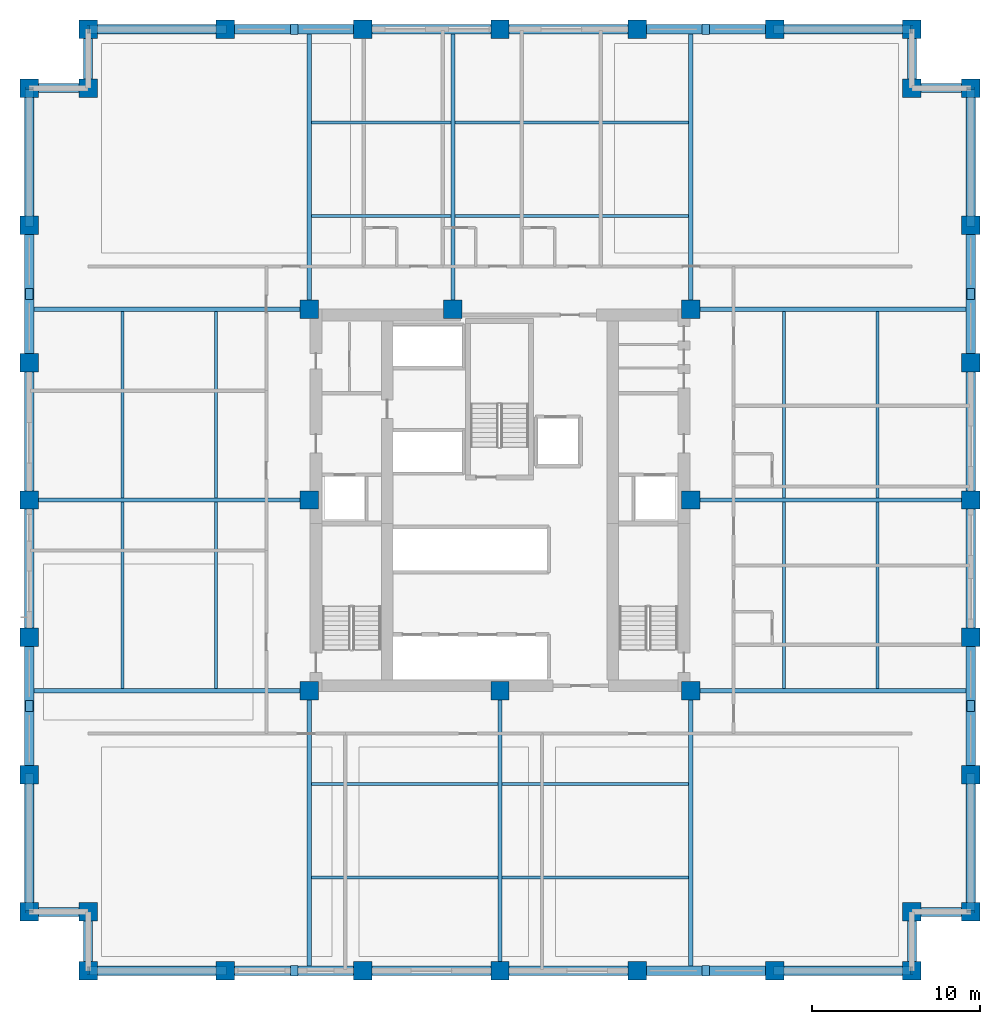
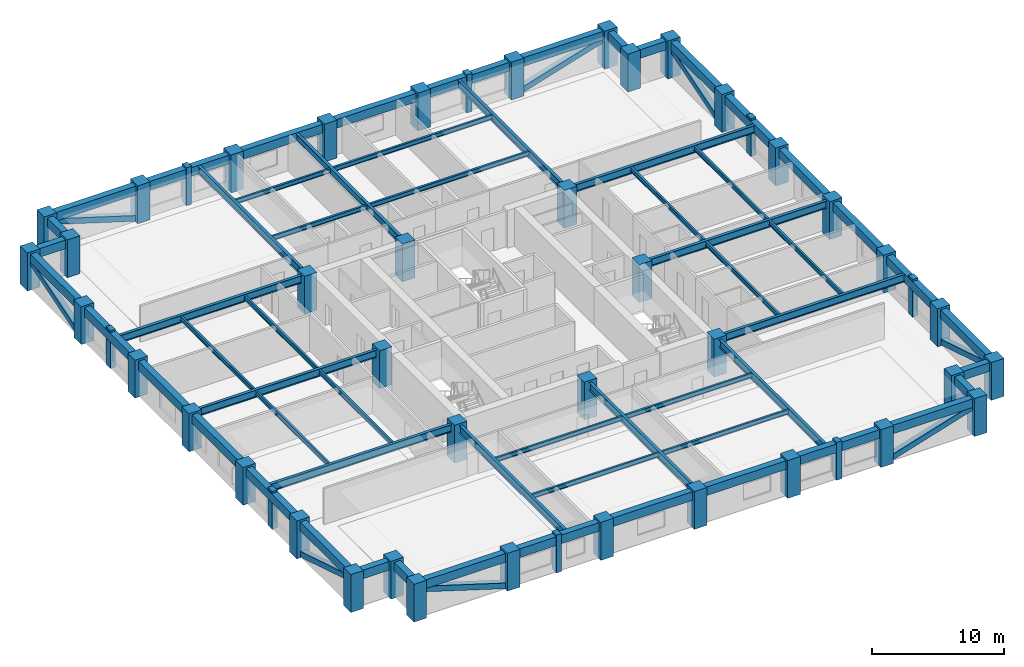
# One storey, part 1 of 12: 60 beams, 40 columns, 16 members.
"""IFC4 building model written with IfcOpenShell, lengths in metres."""

from ifc_helpers import new_model, si_unit, direction, frame, origin, origin_2d, place, context, subcontext, project, spatial, rectangle, hollow_rectangle, i_section, extrude, material, material_profile, profile_set, type_object, element, save


model = new_model("IFC4")

# Units and contexts
model_context = context("Model", 3, precision=1e-05, world=origin(), true_north=direction((0.0, 1.0)))
body_context = subcontext(model_context, "Body", "Model", "MODEL_VIEW")
ifc_project = project(units=[si_unit("LENGTHUNIT", "METRE"), si_unit("AREAUNIT", "SQUARE_METRE"), si_unit("VOLUMEUNIT", "CUBIC_METRE"), si_unit("PLANEANGLEUNIT", "RADIAN"), si_unit("MASSUNIT", "GRAM", prefix="KILO")], contexts=[model_context])

# Site, building, storey
site_placement = place(None, origin())
site = spatial("IfcSite", under=ifc_project, at=site_placement, CompositionType="ELEMENT")
building_placement = place(site_placement, origin())
building = spatial("IfcBuilding", under=site, at=building_placement, Name="Nhamokura Convention Tower", CompositionType="ELEMENT")
storey_placement = place(building_placement, frame((0.0, 0.0, 49.35009765625)))
storey = spatial("IfcBuildingStorey", under=building, at=storey_placement, Name="L10", CompositionType="ELEMENT", Elevation=49.35009765625)

# Columns
ifc_material_1 = material(Name="Concrete C60/75", Category="concrete")
ifc_material_profile_1 = material_profile(ifc_material_1, rectangle(XDim=1.10009765625, YDim=1.10009765625, at=origin_2d()))
ifc_profile_set_1 = profile_set([ifc_material_profile_1], Name="Concrete C60/75")
column_type = type_object("IfcColumnType", Name="TubeColumn_Z1_1100", PredefinedType="COLUMN", material=ifc_profile_set_1)
for number, where, z_axis, x_axis, name in (
    (1, (20.64990234375, 20.64990234375, 0.0), (0.0, 0.0, 1.0), (1.0, 0.0, 0.0), "L10 Core Column CC-SW"),
    (2, (32.0, 20.64990234375, 0.0), (0.0, 0.0, 1.0), (1.0, 0.0, 0.0), "L10 Core Column CC-S"),
    (3, (43.35009765625, 20.64990234375, 0.0), (0.0, 0.0, 1.0), (1.0, 0.0, 0.0), "L10 Core Column CC-SE"),
    (4, (43.35009765625, 32.0, 0.0), (0.0, 0.0, 1.0), (1.0, 0.0, 0.0), "L10 Core Column CC-E"),
    (5, (43.35009765625, 43.35009765625, 0.0), (0.0, 0.0, 1.0), (1.0, 0.0, 0.0), "L10 Core Column CC-NE"),
    (6, (29.199951171875, 43.35009765625, 0.0), (0.0, 0.0, 1.0), (1.0, 0.0, 0.0), "L10 Core Column CC-N"),
    (7, (20.64990234375, 43.35009765625, 0.0), (0.0, 0.0, 1.0), (1.0, 0.0, 0.0), "L10 Core Column CC-NW"),
    (8, (20.64990234375, 32.0, 0.0), (0.0, 0.0, 1.0), (1.0, 0.0, 0.0), "L10 Core Column CC-W"),
    (9, (7.5, 4.0, 0.0), (0.0, 0.0, 1.0), (1.0, 0.0, 0.0), "L10 Perimeter Tube Column SW1"),
    (10, (7.5, 7.5, 0.0), (0.0, 0.0, 1.0), (1.0, 0.0, 0.0), "L10 Perimeter Tube Column SW0"),
    (11, (4.0, 7.5, 0.0), (0.0, 0.0, 1.0), (1.0, 0.0, 0.0), "L10 Perimeter Tube Column SW2"),
    (12, (56.5, 4.0, 0.0), (0.0, 0.0, 1.0), (1.0, 0.0, 0.0), "L10 Perimeter Tube Column SE1"),
    (13, (56.5, 7.5, 0.0), (0.0, 0.0, 1.0), (1.0, 0.0, 0.0), "L10 Perimeter Tube Column SE0"),
    (14, (60.0, 7.5, 0.0), (0.0, 0.0, 1.0), (1.0, 0.0, 0.0), "L10 Perimeter Tube Column SE2"),
    (15, (60.0, 56.5, 0.0), (0.0, 0.0, 1.0), (1.0, 0.0, 0.0), "L10 Perimeter Tube Column NE1"),
    (16, (56.5, 56.5, 0.0), (0.0, 0.0, 1.0), (1.0, 0.0, 0.0), "L10 Perimeter Tube Column NE0"),
    (17, (56.5, 60.0, 0.0), (0.0, 0.0, 1.0), (1.0, 0.0, 0.0), "L10 Perimeter Tube Column NE2"),
    (18, (7.5, 60.0, 0.0), (0.0, 0.0, 1.0), (1.0, 0.0, 0.0), "L10 Perimeter Tube Column NW1"),
    (19, (7.5, 56.5, 0.0), (0.0, 0.0, 1.0), (1.0, 0.0, 0.0), "L10 Perimeter Tube Column NW0"),
    (20, (4.0, 56.5, 0.0), (0.0, 0.0, 1.0), (1.0, 0.0, 0.0), "L10 Perimeter Tube Column NW2"),
    (21, (15.666748046875, 4.0, 0.0), (0.0, 0.0, 1.0), (1.0, 0.0, 0.0), "L10 Perimeter Tube Column S1"),
    (22, (15.666748046875, 60.0, 0.0), (0.0, 0.0, 1.0), (1.0, 0.0, 0.0), "L10 Perimeter Tube Column N1"),
    (23, (4.0, 15.666748046875, 0.0), (0.0, 0.0, 1.0), (1.0, 0.0, 0.0), "L10 Perimeter Tube Column W1"),
    (24, (60.0, 15.666748046875, 0.0), (0.0, 0.0, 1.0), (1.0, 0.0, 0.0), "L10 Perimeter Tube Column E1"),
    (25, (23.833251953125, 4.0, 0.0), (0.0, 0.0, 1.0), (1.0, 0.0, 0.0), "L10 Perimeter Tube Column S2"),
    (26, (23.833251953125, 60.0, 0.0), (0.0, 0.0, 1.0), (1.0, 0.0, 0.0), "L10 Perimeter Tube Column N2"),
    (27, (4.0, 23.833251953125, 0.0), (0.0, 0.0, 1.0), (1.0, 0.0, 0.0), "L10 Perimeter Tube Column W2"),
    (28, (60.0, 23.833251953125, 0.0), (0.0, 0.0, 1.0), (1.0, 0.0, 0.0), "L10 Perimeter Tube Column E2"),
    (29, (32.0, 4.0, 0.0), (0.0, 0.0, 1.0), (1.0, 0.0, 0.0), "L10 Perimeter Tube Column S3"),
    (30, (32.0, 60.0, 0.0), (0.0, 0.0, 1.0), (1.0, 0.0, 0.0), "L10 Perimeter Tube Column N3"),
    (31, (4.0, 32.0, 0.0), (0.0, 0.0, 1.0), (1.0, 0.0, 0.0), "L10 Perimeter Tube Column W3"),
    (32, (60.0, 32.0, 0.0), (0.0, 0.0, 1.0), (1.0, 0.0, 0.0), "L10 Perimeter Tube Column E3"),
    (33, (40.166748046875, 4.0, 0.0), (0.0, 0.0, 1.0), (1.0, 0.0, 0.0), "L10 Perimeter Tube Column S4"),
    (34, (40.166748046875, 60.0, 0.0), (0.0, 0.0, 1.0), (1.0, 0.0, 0.0), "L10 Perimeter Tube Column N4"),
    (35, (4.0, 40.166748046875, 0.0), (0.0, 0.0, 1.0), (1.0, 0.0, 0.0), "L10 Perimeter Tube Column W4"),
    (36, (60.0, 40.166748046875, 0.0), (0.0, 0.0, 1.0), (1.0, 0.0, 0.0), "L10 Perimeter Tube Column E4"),
    (37, (48.333251953125, 4.0, 0.0), (0.0, 0.0, 1.0), (1.0, 0.0, 0.0), "L10 Perimeter Tube Column S5"),
    (38, (48.333251953125, 60.0, 0.0), (0.0, 0.0, 1.0), (1.0, 0.0, 0.0), "L10 Perimeter Tube Column N5"),
    (39, (4.0, 48.333251953125, 0.0), (0.0, 0.0, 1.0), (1.0, 0.0, 0.0), "L10 Perimeter Tube Column W5"),
    (40, (60.0, 48.333251953125, 0.0), (0.0, 0.0, 1.0), (1.0, 0.0, 0.0), "L10 Perimeter Tube Column E5"),
):
    element("IfcColumn", number, at=place(storey_placement, frame(where, z_axis=z_axis, x_axis=x_axis)), inside=storey, type_object=column_type, Name=name, PredefinedType="COLUMN", context=body_context, shape_type="SweptSolid", body=[
        extrude(rectangle(XDim=1.10009765625, YDim=1.10009765625, at=origin_2d()), origin(), (0.0, 0.0, 1.0), 3.5),
    ])

# Members
ifc_material_2 = material(Name="Bronze-pigmented precast concrete C45/55", Category="concrete")
ifc_material_profile_2 = material_profile(ifc_material_2, rectangle(XDim=0.449951171875, YDim=0.64990234375, at=origin_2d()))
ifc_profile_set_2 = profile_set([ifc_material_profile_2], Name="Bronze-pigmented precast concrete C45/55")
member_type_1 = type_object("IfcMemberType", Name="BronzePilaster_650", PredefinedType="USERDEFINED", material=ifc_profile_set_2)
for number, where, z_axis, x_axis, name in (
    (41, (19.75, 4.0, 0.0), (0.0, 0.0, 1.0), (1.0, 0.0, 0.0), "L10 Engaged Frame Pilaster SOUTH 1"),
    (42, (44.25, 4.0, 0.0), (0.0, 0.0, 1.0), (1.0, 0.0, 0.0), "L10 Engaged Frame Pilaster SOUTH 4"),
    (43, (19.75, 60.0, 0.0), (0.0, 0.0, 1.0), (1.0, 0.0, 0.0), "L10 Engaged Frame Pilaster NORTH 1"),
    (44, (44.25, 60.0, 0.0), (0.0, 0.0, 1.0), (1.0, 0.0, 0.0), "L10 Engaged Frame Pilaster NORTH 4"),
    (45, (4.0, 19.75, 0.0), (0.0, 0.0, 1.0), (1.0, 0.0, 0.0), "L10 Engaged Frame Pilaster WEST 1"),
    (46, (4.0, 44.25, 0.0), (0.0, 0.0, 1.0), (1.0, 0.0, 0.0), "L10 Engaged Frame Pilaster WEST 4"),
    (47, (60.0, 19.75, 0.0), (0.0, 0.0, 1.0), (1.0, 0.0, 0.0), "L10 Engaged Frame Pilaster EAST 1"),
    (48, (60.0, 44.25, 0.0), (0.0, 0.0, 1.0), (1.0, 0.0, 0.0), "L10 Engaged Frame Pilaster EAST 4"),
):
    element("IfcMember", number, at=place(storey_placement, frame(where, z_axis=z_axis, x_axis=x_axis)), inside=storey, type_object=member_type_1, Name=name, ObjectType="PILASTER_TRIM", PredefinedType="USERDEFINED", context=body_context, shape_type="SweptSolid", body=[
        extrude(rectangle(XDim=0.449951171875, YDim=0.64990234375, at=origin_2d()), origin(), (0.0, 0.0, 1.0), 3.5),
    ])

# Beams
ifc_material_3 = material(Name="Steel ASTM A992 Gr 50", Category="steel")
ifc_material_profile_3 = material_profile(ifc_material_3, i_section(OverallWidth=0.178955078125, OverallDepth=0.409912109375, WebThickness=0.0087890625, FlangeThickness=0.014404296875, at=origin_2d()))
ifc_profile_set_3 = profile_set([ifc_material_profile_3], Name="Steel ASTM A992 Gr 50")
beam_type_1 = type_object("IfcBeamType", Name="FloorJoist_W410X67", PredefinedType="JOIST", material=ifc_profile_set_3)
for number, where, z_axis, x_axis, name in (
    (49, (20.77587890625, 9.550048828125, 3.114990234375), (1.0, 0.0, 0.0), (0.0, 1.0, 0.0), "L10 Composite Floor Joist S1A"),
    (50, (32.1259765625, 9.550048828125, 3.114990234375), (1.0, 0.0, 0.0), (0.0, 1.0, 0.0), "L10 Composite Floor Joist S1B"),
    (51, (20.77587890625, 15.10009765625, 3.114990234375), (1.0, 0.0, 0.0), (0.0, 1.0, 0.0), "L10 Composite Floor Joist S2A"),
    (52, (32.1259765625, 15.10009765625, 3.114990234375), (1.0, 0.0, 0.0), (0.0, 1.0, 0.0), "L10 Composite Floor Joist S2B"),
):
    element("IfcBeam", number, at=place(storey_placement, frame(where, z_axis=z_axis, x_axis=x_axis)), inside=storey, type_object=beam_type_1, Name=name, PredefinedType="JOIST", context=body_context, shape_type="SweptSolid", body=[
        extrude(i_section(OverallWidth=0.178955078125, OverallDepth=0.409912109375, WebThickness=0.0087890625, FlangeThickness=0.014404296875, at=origin_2d()), origin(), (0.0, 0.0, 1.0), 11.09814453125),
    ])
beam_1_placement = place(storey_placement, frame((20.77587890625, 48.89990234375, 3.114990234375), z_axis=(1.0, 0.0, 0.0), x_axis=(0.0, 1.0, 0.0)))
element("IfcBeam", 53, at=beam_1_placement, inside=storey, type_object=beam_type_1, Name="L10 Composite Floor Joist N1A", PredefinedType="JOIST", context=body_context, shape_type="SweptSolid", body=[
    extrude(i_section(OverallWidth=0.178955078125, OverallDepth=0.409912109375, WebThickness=0.0087890625, FlangeThickness=0.014404296875, at=origin_2d()), origin(), (0.0, 0.0, 1.0), 8.298095703125),
])
beam_2_placement = place(storey_placement, frame((29.325927734375, 48.89990234375, 3.114990234375), z_axis=(1.0, 0.0, 0.0), x_axis=(0.0, 1.0, 0.0)))
element("IfcBeam", 54, at=beam_2_placement, inside=storey, type_object=beam_type_1, Name="L10 Composite Floor Joist N1B", PredefinedType="JOIST", context=body_context, shape_type="SweptSolid", body=[
    extrude(i_section(OverallWidth=0.178955078125, OverallDepth=0.409912109375, WebThickness=0.0087890625, FlangeThickness=0.014404296875, at=origin_2d()), origin(), (0.0, 0.0, 1.0), 13.898193359375),
])
beam_3_placement = place(storey_placement, frame((20.77587890625, 54.449951171875, 3.114990234375), z_axis=(1.0, 0.0, 0.0), x_axis=(0.0, 1.0, 0.0)))
element("IfcBeam", 55, at=beam_3_placement, inside=storey, type_object=beam_type_1, Name="L10 Composite Floor Joist N2A", PredefinedType="JOIST", context=body_context, shape_type="SweptSolid", body=[
    extrude(i_section(OverallWidth=0.178955078125, OverallDepth=0.409912109375, WebThickness=0.0087890625, FlangeThickness=0.014404296875, at=origin_2d()), origin(), (0.0, 0.0, 1.0), 8.298095703125),
])
beam_4_placement = place(storey_placement, frame((29.325927734375, 54.449951171875, 3.114990234375), z_axis=(1.0, 0.0, 0.0), x_axis=(0.0, 1.0, 0.0)))
element("IfcBeam", 56, at=beam_4_placement, inside=storey, type_object=beam_type_1, Name="L10 Composite Floor Joist N2B", PredefinedType="JOIST", context=body_context, shape_type="SweptSolid", body=[
    extrude(i_section(OverallWidth=0.178955078125, OverallDepth=0.409912109375, WebThickness=0.0087890625, FlangeThickness=0.014404296875, at=origin_2d()), origin(), (0.0, 0.0, 1.0), 13.898193359375),
])
for number, where, z_axis, x_axis, name in (
    (57, (9.550048828125, 20.77587890625, 3.114990234375), (0.0, 1.0, 0.0), (-1.0, 0.0, 0.0), "L10 Composite Floor Joist W1A"),
    (58, (9.550048828125, 32.1259765625, 3.114990234375), (0.0, 1.0, 0.0), (-1.0, 0.0, 0.0), "L10 Composite Floor Joist W1B"),
    (59, (15.10009765625, 20.77587890625, 3.114990234375), (0.0, 1.0, 0.0), (-1.0, 0.0, 0.0), "L10 Composite Floor Joist W2A"),
    (60, (15.10009765625, 32.1259765625, 3.114990234375), (0.0, 1.0, 0.0), (-1.0, 0.0, 0.0), "L10 Composite Floor Joist W2B"),
    (61, (48.89990234375, 20.77587890625, 3.114990234375), (0.0, 1.0, 0.0), (-1.0, 0.0, 0.0), "L10 Composite Floor Joist E1A"),
    (62, (48.89990234375, 32.1259765625, 3.114990234375), (0.0, 1.0, 0.0), (-1.0, 0.0, 0.0), "L10 Composite Floor Joist E1B"),
    (63, (54.449951171875, 20.77587890625, 3.114990234375), (0.0, 1.0, 0.0), (-1.0, 0.0, 0.0), "L10 Composite Floor Joist E2A"),
    (64, (54.449951171875, 32.1259765625, 3.114990234375), (0.0, 1.0, 0.0), (-1.0, 0.0, 0.0), "L10 Composite Floor Joist E2B"),
):
    element("IfcBeam", number, at=place(storey_placement, frame(where, z_axis=z_axis, x_axis=x_axis)), inside=storey, type_object=beam_type_1, Name=name, PredefinedType="JOIST", context=body_context, shape_type="SweptSolid", body=[
        extrude(i_section(OverallWidth=0.178955078125, OverallDepth=0.409912109375, WebThickness=0.0087890625, FlangeThickness=0.014404296875, at=origin_2d()), origin(), (0.0, 0.0, 1.0), 11.09814453125),
    ])
ifc_material_4 = material(Name="Steel ASTM A992 Gr 50", Category="steel")
ifc_material_profile_4 = material_profile(ifc_material_4, i_section(OverallWidth=0.256103515625, OverallDepth=0.693115234375, WebThickness=0.014404296875, FlangeThickness=0.023681640625, at=origin_2d()))
ifc_profile_set_4 = profile_set([ifc_material_profile_4], Name="Steel ASTM A992 Gr 50")
beam_type_2 = type_object("IfcBeamType", Name="PrimaryGirder_W690X170", PredefinedType="BEAM", material=ifc_profile_set_4)
for number, where, z_axis, x_axis, name in (
    (65, (20.64990234375, 4.0, 2.973388671875), (0.0, 1.0, 0.0), (-1.0, 0.0, 0.0), "L10 Primary Floor Girder PG-S1"),
    (66, (32.0, 4.0, 2.973388671875), (0.0, 1.0, 0.0), (-1.0, 0.0, 0.0), "L10 Primary Floor Girder PG-S2"),
    (67, (43.35009765625, 4.0, 2.973388671875), (0.0, 1.0, 0.0), (-1.0, 0.0, 0.0), "L10 Primary Floor Girder PG-S3"),
    (68, (20.64990234375, 43.35009765625, 2.973388671875), (0.0, 1.0, 0.0), (-1.0, 0.0, 0.0), "L10 Primary Floor Girder PG-N1"),
    (69, (29.199951171875, 43.35009765625, 2.973388671875), (0.0, 1.0, 0.0), (-1.0, 0.0, 0.0), "L10 Primary Floor Girder PG-N2"),
    (70, (43.35009765625, 43.35009765625, 2.973388671875), (0.0, 1.0, 0.0), (-1.0, 0.0, 0.0), "L10 Primary Floor Girder PG-N3"),
    (71, (4.0, 20.64990234375, 2.973388671875), (1.0, 0.0, 0.0), (0.0, 1.0, 0.0), "L10 Primary Floor Girder PG-W1"),
    (72, (4.0, 32.0, 2.973388671875), (1.0, 0.0, 0.0), (0.0, 1.0, 0.0), "L10 Primary Floor Girder PG-W2"),
    (73, (4.0, 43.35009765625, 2.973388671875), (1.0, 0.0, 0.0), (0.0, 1.0, 0.0), "L10 Primary Floor Girder PG-W3"),
    (74, (43.35009765625, 20.64990234375, 2.973388671875), (1.0, 0.0, 0.0), (0.0, 1.0, 0.0), "L10 Primary Floor Girder PG-E1"),
    (75, (43.35009765625, 32.0, 2.973388671875), (1.0, 0.0, 0.0), (0.0, 1.0, 0.0), "L10 Primary Floor Girder PG-E2"),
    (76, (43.35009765625, 43.35009765625, 2.973388671875), (1.0, 0.0, 0.0), (0.0, 1.0, 0.0), "L10 Primary Floor Girder PG-E3"),
):
    element("IfcBeam", number, at=place(storey_placement, frame(where, z_axis=z_axis, x_axis=x_axis)), inside=storey, type_object=beam_type_2, Name=name, PredefinedType="BEAM", context=body_context, shape_type="SweptSolid", body=[
        extrude(i_section(OverallWidth=0.256103515625, OverallDepth=0.693115234375, WebThickness=0.014404296875, FlangeThickness=0.023681640625, at=origin_2d()), origin(), (0.0, 0.0, 1.0), 16.64990234375),
    ])

# Members
ifc_material_5 = material(Name="Steel ASTM A572 Gr 50", Category="steel")
ifc_material_profile_5 = material_profile(ifc_material_5, hollow_rectangle(XDim=0.5, YDim=0.5, WallThickness=0.02490234375, at=origin_2d()))
ifc_profile_set_5 = profile_set([ifc_material_profile_5], Name="Steel ASTM A572 Gr 50")
member_type_2 = type_object("IfcMemberType", Name="TubeBrace_HSS500", PredefinedType="BRACE", material=ifc_profile_set_5)
for number, where, z_axis, x_axis, name in (
    (77, (15.666748046875, 4.0, 0.14990234375), (-0.955542765986, 0.0, 0.294852543437), (0.0, -1.0, 0.0), "L10 Perimeter Tube Brace SOUTH Bay 0"),
    (78, (48.333251953125, 4.0, 0.14990234375), (0.955542765986, 0.0, 0.294852543437), (0.0, 1.0, 0.0), "L10 Perimeter Tube Brace SOUTH Bay 5"),
    (79, (15.666748046875, 60.0, 0.14990234375), (-0.955542765986, 0.0, 0.294852543437), (0.0, -1.0, 0.0), "L10 Perimeter Tube Brace NORTH Bay 0"),
    (80, (48.333251953125, 60.0, 0.14990234375), (0.955542765986, 0.0, 0.294852543437), (0.0, 1.0, 0.0), "L10 Perimeter Tube Brace NORTH Bay 5"),
    (81, (4.0, 15.666748046875, 0.14990234375), (0.0, -0.955542765986, 0.294852543437), (1.0, 0.0, 0.0), "L10 Perimeter Tube Brace WEST Bay 0"),
    (82, (4.0, 48.333251953125, 0.14990234375), (0.0, 0.955542765986, 0.294852543437), (-1.0, 0.0, 0.0), "L10 Perimeter Tube Brace WEST Bay 5"),
    (83, (60.0, 15.666748046875, 0.14990234375), (0.0, -0.955542765986, 0.294852543437), (1.0, 0.0, 0.0), "L10 Perimeter Tube Brace EAST Bay 0"),
    (84, (60.0, 48.333251953125, 0.14990234375), (0.0, 0.955542765986, 0.294852543437), (-1.0, 0.0, 0.0), "L10 Perimeter Tube Brace EAST Bay 5"),
):
    element("IfcMember", number, at=place(storey_placement, frame(where, z_axis=z_axis, x_axis=x_axis)), inside=storey, type_object=member_type_2, Name=name, PredefinedType="BRACE", context=body_context, shape_type="SweptSolid", body=[
        extrude(hollow_rectangle(XDim=0.5, YDim=0.5, WallThickness=0.02490234375, at=origin_2d()), origin(), (0.0, 0.0, 1.0), 8.546630859375),
    ])

# Beams
ifc_material_6 = material(Name="Concrete C50/60", Category="concrete")
ifc_material_profile_6 = material_profile(ifc_material_6, rectangle(XDim=0.550048828125, YDim=0.800048828125, at=origin_2d()))
ifc_profile_set_6 = profile_set([ifc_material_profile_6], Name="Concrete C50/60")
beam_type_3 = type_object("IfcBeamType", Name="TubeSpandrel_800", PredefinedType="SPANDREL", material=ifc_profile_set_6)
beam_5_placement = place(storey_placement, frame((7.5, 4.0, 2.919921875), z_axis=(1.0, 0.0, 0.0), x_axis=(0.0, 1.0, 0.0)))
element("IfcBeam", 85, at=beam_5_placement, inside=storey, type_object=beam_type_3, Name="L10 Perimeter Spandrel SOUTH 1", PredefinedType="SPANDREL", context=body_context, shape_type="SweptSolid", body=[
    extrude(rectangle(XDim=0.550048828125, YDim=0.800048828125, at=origin_2d()), origin(), (0.0, 0.0, 1.0), 8.166748046875),
])
beam_6_placement = place(storey_placement, frame((15.666748046875, 4.0, 2.919921875), z_axis=(1.0, 0.0, 0.0), x_axis=(0.0, 1.0, 0.0)))
element("IfcBeam", 86, at=beam_6_placement, inside=storey, type_object=beam_type_3, Name="L10 Perimeter Spandrel SOUTH 2", PredefinedType="SPANDREL", context=body_context, shape_type="SweptSolid", body=[
    extrude(rectangle(XDim=0.550048828125, YDim=0.800048828125, at=origin_2d()), origin(), (0.0, 0.0, 1.0), 8.16650390625),
])
for number, where, z_axis, x_axis, name in (
    (87, (23.833251953125, 4.0, 2.919921875), (1.0, 0.0, 0.0), (0.0, 1.0, 0.0), "L10 Perimeter Spandrel SOUTH 3"),
    (88, (32.0, 4.0, 2.919921875), (1.0, 0.0, 0.0), (0.0, 1.0, 0.0), "L10 Perimeter Spandrel SOUTH 4"),
):
    element("IfcBeam", number, at=place(storey_placement, frame(where, z_axis=z_axis, x_axis=x_axis)), inside=storey, type_object=beam_type_3, Name=name, PredefinedType="SPANDREL", context=body_context, shape_type="SweptSolid", body=[
        extrude(rectangle(XDim=0.550048828125, YDim=0.800048828125, at=origin_2d()), origin(), (0.0, 0.0, 1.0), 8.166748046875),
    ])
beam_7_placement = place(storey_placement, frame((40.166748046875, 4.0, 2.919921875), z_axis=(1.0, 0.0, 0.0), x_axis=(0.0, 1.0, 0.0)))
element("IfcBeam", 89, at=beam_7_placement, inside=storey, type_object=beam_type_3, Name="L10 Perimeter Spandrel SOUTH 5", PredefinedType="SPANDREL", context=body_context, shape_type="SweptSolid", body=[
    extrude(rectangle(XDim=0.550048828125, YDim=0.800048828125, at=origin_2d()), origin(), (0.0, 0.0, 1.0), 8.16650390625),
])
for number, where, z_axis, x_axis, name in (
    (90, (48.333251953125, 4.0, 2.919921875), (1.0, 0.0, 0.0), (0.0, 1.0, 0.0), "L10 Perimeter Spandrel SOUTH 6"),
    (91, (7.5, 60.0, 2.919921875), (1.0, 0.0, 0.0), (0.0, 1.0, 0.0), "L10 Perimeter Spandrel NORTH 1"),
):
    element("IfcBeam", number, at=place(storey_placement, frame(where, z_axis=z_axis, x_axis=x_axis)), inside=storey, type_object=beam_type_3, Name=name, PredefinedType="SPANDREL", context=body_context, shape_type="SweptSolid", body=[
        extrude(rectangle(XDim=0.550048828125, YDim=0.800048828125, at=origin_2d()), origin(), (0.0, 0.0, 1.0), 8.166748046875),
    ])
beam_8_placement = place(storey_placement, frame((15.666748046875, 60.0, 2.919921875), z_axis=(1.0, 0.0, 0.0), x_axis=(0.0, 1.0, 0.0)))
element("IfcBeam", 92, at=beam_8_placement, inside=storey, type_object=beam_type_3, Name="L10 Perimeter Spandrel NORTH 2", PredefinedType="SPANDREL", context=body_context, shape_type="SweptSolid", body=[
    extrude(rectangle(XDim=0.550048828125, YDim=0.800048828125, at=origin_2d()), origin(), (0.0, 0.0, 1.0), 8.16650390625),
])
for number, where, z_axis, x_axis, name in (
    (93, (23.833251953125, 60.0, 2.919921875), (1.0, 0.0, 0.0), (0.0, 1.0, 0.0), "L10 Perimeter Spandrel NORTH 3"),
    (94, (32.0, 60.0, 2.919921875), (1.0, 0.0, 0.0), (0.0, 1.0, 0.0), "L10 Perimeter Spandrel NORTH 4"),
):
    element("IfcBeam", number, at=place(storey_placement, frame(where, z_axis=z_axis, x_axis=x_axis)), inside=storey, type_object=beam_type_3, Name=name, PredefinedType="SPANDREL", context=body_context, shape_type="SweptSolid", body=[
        extrude(rectangle(XDim=0.550048828125, YDim=0.800048828125, at=origin_2d()), origin(), (0.0, 0.0, 1.0), 8.166748046875),
    ])
beam_9_placement = place(storey_placement, frame((40.166748046875, 60.0, 2.919921875), z_axis=(1.0, 0.0, 0.0), x_axis=(0.0, 1.0, 0.0)))
element("IfcBeam", 95, at=beam_9_placement, inside=storey, type_object=beam_type_3, Name="L10 Perimeter Spandrel NORTH 5", PredefinedType="SPANDREL", context=body_context, shape_type="SweptSolid", body=[
    extrude(rectangle(XDim=0.550048828125, YDim=0.800048828125, at=origin_2d()), origin(), (0.0, 0.0, 1.0), 8.16650390625),
])
for number, where, z_axis, x_axis, name in (
    (96, (48.333251953125, 60.0, 2.919921875), (1.0, 0.0, 0.0), (0.0, 1.0, 0.0), "L10 Perimeter Spandrel NORTH 6"),
    (97, (4.0, 7.5, 2.919921875), (0.0, 1.0, 0.0), (-1.0, 0.0, 0.0), "L10 Perimeter Spandrel WEST 1"),
):
    element("IfcBeam", number, at=place(storey_placement, frame(where, z_axis=z_axis, x_axis=x_axis)), inside=storey, type_object=beam_type_3, Name=name, PredefinedType="SPANDREL", context=body_context, shape_type="SweptSolid", body=[
        extrude(rectangle(XDim=0.550048828125, YDim=0.800048828125, at=origin_2d()), origin(), (0.0, 0.0, 1.0), 8.166748046875),
    ])
beam_10_placement = place(storey_placement, frame((4.0, 15.666748046875, 2.919921875), z_axis=(0.0, 1.0, 0.0), x_axis=(-1.0, 0.0, 0.0)))
element("IfcBeam", 98, at=beam_10_placement, inside=storey, type_object=beam_type_3, Name="L10 Perimeter Spandrel WEST 2", PredefinedType="SPANDREL", context=body_context, shape_type="SweptSolid", body=[
    extrude(rectangle(XDim=0.550048828125, YDim=0.800048828125, at=origin_2d()), origin(), (0.0, 0.0, 1.0), 8.16650390625),
])
for number, where, z_axis, x_axis, name in (
    (99, (4.0, 23.833251953125, 2.919921875), (0.0, 1.0, 0.0), (-1.0, 0.0, 0.0), "L10 Perimeter Spandrel WEST 3"),
    (100, (4.0, 32.0, 2.919921875), (0.0, 1.0, 0.0), (-1.0, 0.0, 0.0), "L10 Perimeter Spandrel WEST 4"),
):
    element("IfcBeam", number, at=place(storey_placement, frame(where, z_axis=z_axis, x_axis=x_axis)), inside=storey, type_object=beam_type_3, Name=name, PredefinedType="SPANDREL", context=body_context, shape_type="SweptSolid", body=[
        extrude(rectangle(XDim=0.550048828125, YDim=0.800048828125, at=origin_2d()), origin(), (0.0, 0.0, 1.0), 8.166748046875),
    ])
beam_11_placement = place(storey_placement, frame((4.0, 40.166748046875, 2.919921875), z_axis=(0.0, 1.0, 0.0), x_axis=(-1.0, 0.0, 0.0)))
element("IfcBeam", 101, at=beam_11_placement, inside=storey, type_object=beam_type_3, Name="L10 Perimeter Spandrel WEST 5", PredefinedType="SPANDREL", context=body_context, shape_type="SweptSolid", body=[
    extrude(rectangle(XDim=0.550048828125, YDim=0.800048828125, at=origin_2d()), origin(), (0.0, 0.0, 1.0), 8.16650390625),
])
for number, where, z_axis, x_axis, name in (
    (102, (4.0, 48.333251953125, 2.919921875), (0.0, 1.0, 0.0), (-1.0, 0.0, 0.0), "L10 Perimeter Spandrel WEST 6"),
    (103, (60.0, 7.5, 2.919921875), (0.0, 1.0, 0.0), (-1.0, 0.0, 0.0), "L10 Perimeter Spandrel EAST 1"),
):
    element("IfcBeam", number, at=place(storey_placement, frame(where, z_axis=z_axis, x_axis=x_axis)), inside=storey, type_object=beam_type_3, Name=name, PredefinedType="SPANDREL", context=body_context, shape_type="SweptSolid", body=[
        extrude(rectangle(XDim=0.550048828125, YDim=0.800048828125, at=origin_2d()), origin(), (0.0, 0.0, 1.0), 8.166748046875),
    ])
beam_12_placement = place(storey_placement, frame((60.0, 15.666748046875, 2.919921875), z_axis=(0.0, 1.0, 0.0), x_axis=(-1.0, 0.0, 0.0)))
element("IfcBeam", 104, at=beam_12_placement, inside=storey, type_object=beam_type_3, Name="L10 Perimeter Spandrel EAST 2", PredefinedType="SPANDREL", context=body_context, shape_type="SweptSolid", body=[
    extrude(rectangle(XDim=0.550048828125, YDim=0.800048828125, at=origin_2d()), origin(), (0.0, 0.0, 1.0), 8.16650390625),
])
for number, where, z_axis, x_axis, name in (
    (105, (60.0, 23.833251953125, 2.919921875), (0.0, 1.0, 0.0), (-1.0, 0.0, 0.0), "L10 Perimeter Spandrel EAST 3"),
    (106, (60.0, 32.0, 2.919921875), (0.0, 1.0, 0.0), (-1.0, 0.0, 0.0), "L10 Perimeter Spandrel EAST 4"),
):
    element("IfcBeam", number, at=place(storey_placement, frame(where, z_axis=z_axis, x_axis=x_axis)), inside=storey, type_object=beam_type_3, Name=name, PredefinedType="SPANDREL", context=body_context, shape_type="SweptSolid", body=[
        extrude(rectangle(XDim=0.550048828125, YDim=0.800048828125, at=origin_2d()), origin(), (0.0, 0.0, 1.0), 8.166748046875),
    ])
beam_13_placement = place(storey_placement, frame((60.0, 40.166748046875, 2.919921875), z_axis=(0.0, 1.0, 0.0), x_axis=(-1.0, 0.0, 0.0)))
element("IfcBeam", 107, at=beam_13_placement, inside=storey, type_object=beam_type_3, Name="L10 Perimeter Spandrel EAST 5", PredefinedType="SPANDREL", context=body_context, shape_type="SweptSolid", body=[
    extrude(rectangle(XDim=0.550048828125, YDim=0.800048828125, at=origin_2d()), origin(), (0.0, 0.0, 1.0), 8.16650390625),
])
beam_14_placement = place(storey_placement, frame((60.0, 48.333251953125, 2.919921875), z_axis=(0.0, 1.0, 0.0), x_axis=(-1.0, 0.0, 0.0)))
element("IfcBeam", 108, at=beam_14_placement, inside=storey, type_object=beam_type_3, Name="L10 Perimeter Spandrel EAST 6", PredefinedType="SPANDREL", context=body_context, shape_type="SweptSolid", body=[
    extrude(rectangle(XDim=0.550048828125, YDim=0.800048828125, at=origin_2d()), origin(), (0.0, 0.0, 1.0), 8.166748046875),
])
for number, where, z_axis, x_axis, name in (
    (109, (7.5, 4.0, 2.919921875), (0.0, 1.0, 0.0), (-1.0, 0.0, 0.0), "L10 Notch Spandrel SW1"),
    (110, (7.5, 7.5, 2.919921875), (-1.0, 0.0, 0.0), (0.0, -1.0, 0.0), "L10 Notch Spandrel SW2"),
    (111, (56.5, 4.0, 2.919921875), (0.0, 1.0, 0.0), (-1.0, 0.0, 0.0), "L10 Notch Spandrel SE1"),
    (112, (56.5, 7.5, 2.919921875), (1.0, 0.0, 0.0), (0.0, 1.0, 0.0), "L10 Notch Spandrel SE2"),
    (113, (60.0, 56.5, 2.919921875), (-1.0, 0.0, 0.0), (0.0, -1.0, 0.0), "L10 Notch Spandrel NE1"),
    (114, (56.5, 56.5, 2.919921875), (0.0, 1.0, 0.0), (-1.0, 0.0, 0.0), "L10 Notch Spandrel NE2"),
    (115, (7.5, 60.0, 2.919921875), (0.0, -1.0, 0.0), (1.0, 0.0, 0.0), "L10 Notch Spandrel NW1"),
    (116, (7.5, 56.5, 2.919921875), (-1.0, 0.0, 0.0), (0.0, -1.0, 0.0), "L10 Notch Spandrel NW2"),
):
    element("IfcBeam", number, at=place(storey_placement, frame(where, z_axis=z_axis, x_axis=x_axis)), inside=storey, type_object=beam_type_3, Name=name, PredefinedType="SPANDREL", context=body_context, shape_type="SweptSolid", body=[
        extrude(rectangle(XDim=0.550048828125, YDim=0.800048828125, at=origin_2d()), origin(), (0.0, 0.0, 1.0), 3.5),
    ])

save(model, "model.ifc")
